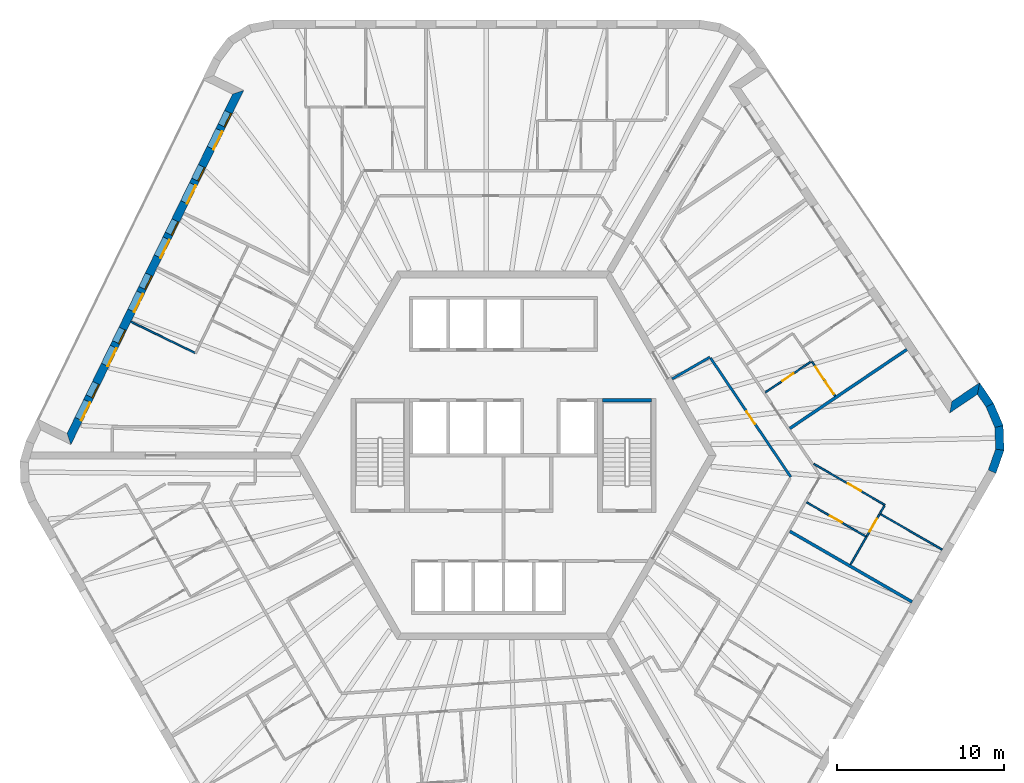
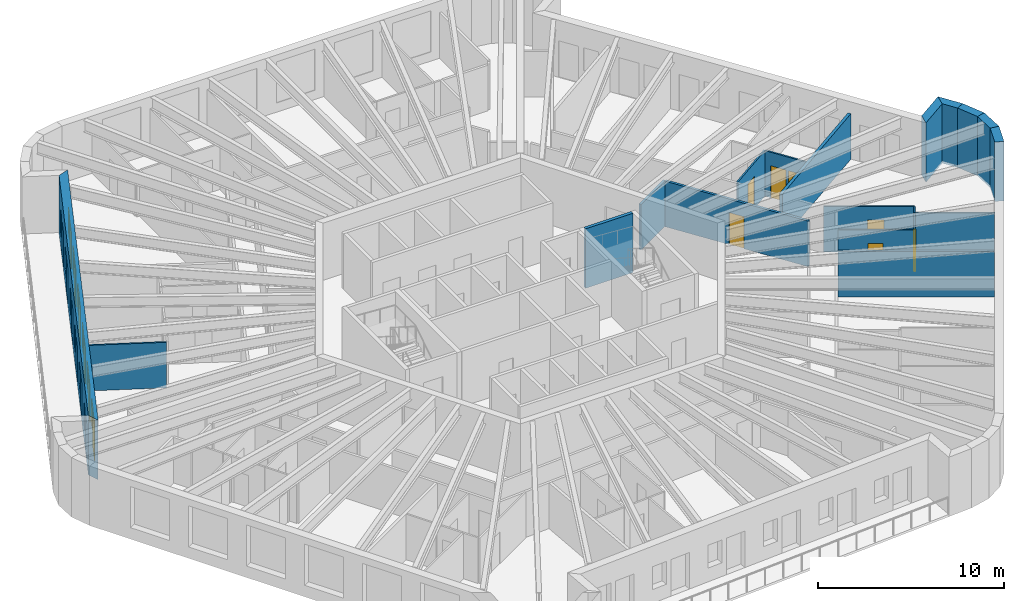
# One storey, part 7 of 12: 20 walls, 13 doors, 6 windows, 19 openings.
"""IFC4 building model written with IfcOpenShell, lengths in metres."""

from ifc_helpers import new_model, si_unit, direction, frame, frame_2d, origin, place, context, subcontext, project, spatial, polyline, rectangle, outline, extrude, material, layer, layer_set, type_object, element, fill, save


model = new_model("IFC4")

# Units and contexts
model_context = context("Model", 3, precision=1e-05, world=origin(), true_north=direction((0.0, 1.0)))
body_context = subcontext(model_context, "Body", "Model", "MODEL_VIEW")
ifc_project = project(units=[si_unit("LENGTHUNIT", "METRE"), si_unit("AREAUNIT", "SQUARE_METRE"), si_unit("VOLUMEUNIT", "CUBIC_METRE"), si_unit("PLANEANGLEUNIT", "RADIAN"), si_unit("MASSUNIT", "GRAM", prefix="KILO")], contexts=[model_context])

# Site, building, storey
site_placement = place(None, origin())
site = spatial("IfcSite", under=ifc_project, at=site_placement, CompositionType="ELEMENT")
building_placement = place(site_placement, origin())
building = spatial("IfcBuilding", under=site, at=building_placement, Name="Tarnside Tower", CompositionType="ELEMENT")
storey_placement = place(building_placement, frame((0.0, 0.0, 310.800048828125)))
storey = spatial("IfcBuildingStorey", under=building, at=storey_placement, Name="L75", CompositionType="ELEMENT", Elevation=310.800048828125)

# Wall, opening, door
ifc_material_1 = material(Name="Gypsum board partition on steel studs", Category="steel")
ifc_layer_1 = layer(ifc_material_1, 0.10009765625)
ifc_layer_set_1 = layer_set([ifc_layer_1], Name="Bathroom wall 100")
wall_type_1 = type_object("IfcWallType", Name="Bathroom wall 100", PredefinedType="PARTITIONING", material=ifc_layer_set_1)
wall_1_placement = place(storey_placement, frame((18.099853515625, -2.80029296875, 0.0), z_axis=(0.0, 0.0, 1.0), x_axis=(0.866019999656, -0.500009360108, 0.0)))
wall_1 = element("IfcWall", 1, at=wall_1_placement, inside=storey, type_object=wall_type_1, Name="Bathroom wall 24156", PredefinedType="PARTITIONING", context=body_context, shape_type="SweptSolid", body=[
    extrude(rectangle(XDim=4.125, YDim=0.10009765625, at=frame_2d((2.0625, 0.0))), origin(), (0.0, 0.0, 1.0), 2.98779296875),
])
opening_1_placement = place(wall_1_placement, frame((1.625, 0.0, 0.0)))
opening_1 = element("IfcOpeningElement", 2, at=opening_1_placement, cuts=wall_1, Name="Opening D-B1", PredefinedType="OPENING", context=body_context, shape_type="SweptSolid", body=[
    extrude(rectangle(XDim=0.800048828125, YDim=2.10009765625, at=frame_2d((0.39990234375, 1.050048828125))), frame((0.0, 0.06005859375, 0.0), z_axis=(0.0, -1.0, 0.0), x_axis=(1.0, 0.0, 0.0)), (0.0, 0.0, 1.0), 0.1201171875),
])
ifc_material_2 = material(Name="Timber door leaf", Category="wood")
door_type_1 = type_object("IfcDoorType", Name="Bathroom door 800", OperationType="NOTDEFINED", PredefinedType="DOOR", material=ifc_material_2)
door_1_placement = place(opening_1_placement, origin())
door_1 = element("IfcDoor", 3, at=door_1_placement, inside=storey, type_object=door_type_1, Name="Bathroom door 24051", OperationType="SINGLE_SWING_RIGHT", OverallHeight=2.10009765625, OverallWidth=0.800048828125, PredefinedType="DOOR", context=body_context, shape_type="SweptSolid", body=[
    extrude(rectangle(XDim=0.800048828125, YDim=2.10009765625, at=frame_2d((0.39990234375, 1.050048828125))), frame((0.0, 0.02490234375, 0.0), z_axis=(0.0, -1.0, 0.0), x_axis=(1.0, 0.0, 0.0)), (0.0, 0.0, 1.0), 0.050048828125),
])
fill(opening_1, door_1)

# Wall
wall_2_placement = place(storey_placement, frame((20.717041015625, -6.516845703125, 0.0), z_axis=(0.0, 0.0, 1.0), x_axis=(0.500039310002, 0.866002706955, 0.0)))
element("IfcWall", 4, at=wall_2_placement, inside=storey, type_object=wall_type_1, Name="Bathroom wall 24158", PredefinedType="PARTITIONING", context=body_context, shape_type="SweptSolid", body=[
    extrude(rectangle(XDim=1.911865234375, YDim=0.10009765625, at=frame_2d((0.9560546875, 0.0))), origin(), (0.0, 0.0, 1.0), 2.98779296875),
])

# Wall, opening, door
wall_3_placement = place(storey_placement, frame((18.399658203125, 5.6259765625, 0.0), z_axis=(0.0, 0.0, 1.0), x_axis=(-0.829067379225, -0.559148710725, 0.0)))
wall_3 = element("IfcWall", 5, at=wall_3_placement, inside=storey, type_object=wall_type_1, Name="Bathroom wall 24163", PredefinedType="PARTITIONING", context=body_context, shape_type="SweptSolid", body=[
    extrude(rectangle(XDim=3.324951171875, YDim=0.10009765625, at=frame_2d((1.66259765625, 0.0))), origin(), (0.0, 0.0, 1.0), 2.98779296875),
])
opening_2_placement = place(wall_3_placement, frame((1.300048828125, 0.0, 0.0)))
opening_2 = element("IfcOpeningElement", 6, at=opening_2_placement, cuts=wall_3, Name="Opening D-B1", PredefinedType="OPENING", context=body_context, shape_type="SweptSolid", body=[
    extrude(rectangle(XDim=0.800048828125, YDim=2.10009765625, at=frame_2d((0.39990234375, 1.050048828125))), frame((0.0, 0.06005859375, 0.0), z_axis=(0.0, -1.0, 0.0), x_axis=(1.0, 0.0, 0.0)), (0.0, 0.0, 1.0), 0.1201171875),
])
door_2_placement = place(opening_2_placement, origin())
door_2 = element("IfcDoor", 7, at=door_2_placement, inside=storey, type_object=door_type_1, Name="Bathroom door 24055", OperationType="SINGLE_SWING_LEFT", OverallHeight=2.10009765625, OverallWidth=0.800048828125, PredefinedType="DOOR", context=body_context, shape_type="SweptSolid", body=[
    extrude(rectangle(XDim=0.800048828125, YDim=2.10009765625, at=frame_2d((0.39990234375, 1.050048828125))), frame((0.0, 0.02490234375, 0.0), z_axis=(0.0, -1.0, 0.0), x_axis=(1.0, 0.0, 0.0)), (0.0, 0.0, 1.0), 0.050048828125),
])
fill(opening_2, door_2)

# Wall
ifc_layer_2 = layer(ifc_material_1, 0.14990234375)
ifc_layer_set_2 = layer_set([ifc_layer_2], Name="Corridor wall 150 EI 60")
wall_type_2 = type_object("IfcWallType", Name="Corridor wall 150 EI 60", PredefinedType="PARTITIONING", material=ifc_layer_set_2)
wall_4_placement = place(storey_placement, frame((10.065673828125, 4.565673828125, 0.0), z_axis=(0.0, 0.0, 1.0), x_axis=(0.866034402474, 0.499984413489, 0.0)))
element("IfcWall", 8, at=wall_4_placement, inside=storey, type_object=wall_type_2, Name="Corridor wall 24071", PredefinedType="PARTITIONING", context=body_context, shape_type="SweptSolid", body=[
    extrude(rectangle(XDim=2.6083984375, YDim=0.14990234375, at=frame_2d((1.30419921875, 0.0))), origin(), (0.0, 0.0, 1.0), 2.98779296875),
])

# Wall, opening, door
wall_5_placement = place(storey_placement, frame((12.36669921875, 5.8076171875, 0.0), z_axis=(0.0, 0.0, 1.0), x_axis=(0.559187256666, -0.829041381345, 0.0)))
wall_5 = element("IfcWall", 9, at=wall_5_placement, inside=storey, type_object=wall_type_2, Name="Corridor wall 24072", PredefinedType="PARTITIONING", context=body_context, shape_type="SweptSolid", body=[
    extrude(rectangle(XDim=8.560302734375, YDim=0.14990234375, at=frame_2d((4.2802734375, 0.0))), origin(), (0.0, 0.0, 1.0), 2.98779296875),
])
opening_3_placement = place(wall_5_placement, frame((3.830078125, 0.0, 0.0)))
opening_3 = element("IfcOpeningElement", 10, at=opening_3_placement, cuts=wall_5, Name="Opening D-S1", PredefinedType="OPENING", context=body_context, shape_type="SweptSolid", body=[
    extrude(rectangle(XDim=0.89990234375, YDim=2.10009765625, at=frame_2d((0.449951171875, 1.050048828125))), frame((0.0, 0.0849609375, 0.0), z_axis=(0.0, -1.0, 0.0), x_axis=(1.0, 0.0, 0.0)), (0.0, 0.0, 1.0), 0.169921875),
])
door_type_2 = type_object("IfcDoorType", Name="Service room door 900 FD30S", OperationType="NOTDEFINED", PredefinedType="DOOR", material=ifc_material_2)
door_3_placement = place(opening_3_placement, origin())
door_3 = element("IfcDoor", 11, at=door_3_placement, inside=storey, type_object=door_type_2, Name="Service door 24067", OperationType="SINGLE_SWING_RIGHT", OverallHeight=2.10009765625, OverallWidth=0.89990234375, PredefinedType="DOOR", context=body_context, shape_type="SweptSolid", body=[
    extrude(rectangle(XDim=0.89990234375, YDim=2.10009765625, at=frame_2d((0.449951171875, 1.050048828125))), frame((0.0, 0.02490234375, 0.0), z_axis=(0.0, -1.0, 0.0), x_axis=(1.0, 0.0, 0.0)), (0.0, 0.0, 1.0), 0.050048828125),
])
fill(opening_3, door_3)

# Walls
ifc_layer_3 = layer(ifc_material_1, 0.179931640625)
ifc_layer_set_3 = layer_set([ifc_layer_3], Name="Demising wall 180 EI 60")
wall_type_3 = type_object("IfcWallType", Name="Demising wall 180 EI 60", PredefinedType="PARTITIONING", material=ifc_layer_set_3)
for number, where, z_axis, x_axis, name in (
    (12, (24.39599609375, -8.744873046875, 0.0), (0.0, 0.0, 1.0), (-0.866014270972, 0.500019282102, 0.0), "Demising wall 24144"),
    (13, (24.08154296875, 6.322509765625, 0.0), (0.0, 0.0, 1.0), (-0.829037762759, -0.559192621481, 0.0), "Demising wall 24154"),
):
    element("IfcWall", number, at=place(storey_placement, frame(where, z_axis=z_axis, x_axis=x_axis)), inside=storey, type_object=wall_type_3, Name=name, PredefinedType="PARTITIONING", context=body_context, shape_type="SweptSolid", body=[
        extrude(rectangle(XDim=8.425048828125, YDim=0.179931640625, at=frame_2d((4.21240234375, 0.0))), origin(), (0.0, 0.0, 1.0), 2.98779296875),
    ])
ifc_material_3 = material(Name="Concrete C40/50", Category="concrete")
ifc_layer_4 = layer(ifc_material_3, 0.199951171875)
ifc_layer_set_4 = layer_set([ifc_layer_4], Name="Lift shaft wall 200 C40/50")
wall_type_4 = type_object("IfcWallType", Name="Lift shaft wall 200 C40/50", PredefinedType="SHEAR", material=ifc_layer_set_4)
wall_6_placement = place(storey_placement, frame((5.89990234375, 3.300048828125, -0.25), z_axis=(0.0, 0.0, 1.0), x_axis=(1.0, 0.0, 0.0)))
element("IfcWall", 14, at=wall_6_placement, inside=storey, type_object=wall_type_4, Name="L75 stair 1 enclosure cap wall n", PredefinedType="SHEAR", context=body_context, shape_type="SweptSolid", body=[
    extrude(rectangle(XDim=2.9501953125, YDim=0.199951171875, at=frame_2d((1.47509765625, 0.0))), origin(), (0.0, 0.0, 1.0), 3.89990234375),
])

# Wall, openings, doors, windows
ifc_material_4 = material(Name="Dark zinc cladding")
ifc_layer_5 = layer(ifc_material_4, 0.10205078125)
ifc_material_5 = material(Name="Concrete C60/75 precast", Category="concrete")
ifc_layer_6 = layer(ifc_material_5, 0.298095703125)
ifc_material_6 = material(Name="Mineral wool insulation")
ifc_layer_7 = layer(ifc_material_6, 0.10009765625)
ifc_layer_set_5 = layer_set([ifc_layer_5, ifc_layer_6, ifc_layer_7], Name="Loggia wall 500 zinc faced")
wall_type_5 = type_object("IfcWallType", Name="Loggia wall 500 zinc faced", PredefinedType="SOLIDWALL", material=ifc_layer_set_5)
wall_7_placement = place(storey_placement, frame((-15.845947265625, 21.6884765625, -0.150146484375), z_axis=(0.0, 0.0, 1.0), x_axis=(-0.438377502627, -0.898790946322, 0.0)))
wall_7 = element("IfcWall", 15, at=wall_7_placement, inside=storey, type_object=wall_type_5, Name="Tube wall L75 F2 back 06", PredefinedType="SOLIDWALL", context=body_context, shape_type="SweptSolid", body=[
    extrude(outline(polyline([(0.25, -0.25), (22.794677734375, -0.25), (23.294677734375, 0.25), (-0.25, 0.25), (0.25, -0.25)])), origin(), (0.0, 0.0, 1.0), 3.900146484375),
])
opening_4_placement = place(wall_7_placement, frame((1.322509765625, 0.0, 1.050048828125)))
opening_4 = element("IfcOpeningElement", 16, at=opening_4_placement, cuts=wall_7, Name="Opening WL500", PredefinedType="OPENING", context=body_context, shape_type="SweptSolid", body=[
    extrude(rectangle(XDim=0.89990234375, YDim=1.5, at=frame_2d((0.449951171875, 0.75))), frame((0.0, 0.260009765625, 0.0), z_axis=(0.0, -1.0, 0.0), x_axis=(1.0, 0.0, 0.0)), (0.0, 0.0, 1.0), 0.52001953125),
])
opening_5_placement = place(wall_7_placement, frame((2.5224609375, 0.0, 0.14990234375)))
opening_5 = element("IfcOpeningElement", 17, at=opening_5_placement, cuts=wall_7, Name="Opening DB500", PredefinedType="OPENING", context=body_context, shape_type="SweptSolid", body=[
    extrude(rectangle(XDim=1.199951171875, YDim=2.39990234375, at=frame_2d((0.60009765625, 1.199951171875))), frame((0.0, 0.260009765625, 0.0), z_axis=(0.0, -1.0, 0.0), x_axis=(1.0, 0.0, 0.0)), (0.0, 0.0, 1.0), 0.52001953125),
])
opening_6_placement = place(wall_7_placement, frame((4.92236328125, 0.0, 1.050048828125)))
opening_6 = element("IfcOpeningElement", 18, at=opening_6_placement, cuts=wall_7, Name="Opening WL500", PredefinedType="OPENING", context=body_context, shape_type="SweptSolid", body=[
    extrude(rectangle(XDim=0.89990234375, YDim=1.5, at=frame_2d((0.449951171875, 0.75))), frame((0.0, 0.260009765625, 0.0), z_axis=(0.0, -1.0, 0.0), x_axis=(1.0, 0.0, 0.0)), (0.0, 0.0, 1.0), 0.52001953125),
])
opening_7_placement = place(wall_7_placement, frame((6.122314453125, 0.0, 0.14990234375)))
opening_7 = element("IfcOpeningElement", 19, at=opening_7_placement, cuts=wall_7, Name="Opening DB500", PredefinedType="OPENING", context=body_context, shape_type="SweptSolid", body=[
    extrude(rectangle(XDim=1.199951171875, YDim=2.39990234375, at=frame_2d((0.60009765625, 1.199951171875))), frame((0.0, 0.260009765625, 0.0), z_axis=(0.0, -1.0, 0.0), x_axis=(1.0, 0.0, 0.0)), (0.0, 0.0, 1.0), 0.52001953125),
])
opening_8_placement = place(wall_7_placement, frame((8.5224609375, 0.0, 1.050048828125)))
opening_8 = element("IfcOpeningElement", 20, at=opening_8_placement, cuts=wall_7, Name="Opening WL500", PredefinedType="OPENING", context=body_context, shape_type="SweptSolid", body=[
    extrude(rectangle(XDim=0.89990234375, YDim=1.5, at=frame_2d((0.449951171875, 0.75))), frame((0.0, 0.260009765625, 0.0), z_axis=(0.0, -1.0, 0.0), x_axis=(1.0, 0.0, 0.0)), (0.0, 0.0, 1.0), 0.52001953125),
])
opening_9_placement = place(wall_7_placement, frame((9.722412109375, 0.0, 0.14990234375)))
opening_9 = element("IfcOpeningElement", 21, at=opening_9_placement, cuts=wall_7, Name="Opening DB500", PredefinedType="OPENING", context=body_context, shape_type="SweptSolid", body=[
    extrude(rectangle(XDim=1.199951171875, YDim=2.39990234375, at=frame_2d((0.60009765625, 1.199951171875))), frame((0.0, 0.260009765625, 0.0), z_axis=(0.0, -1.0, 0.0), x_axis=(1.0, 0.0, 0.0)), (0.0, 0.0, 1.0), 0.52001953125),
])
opening_10_placement = place(wall_7_placement, frame((12.122314453125, 0.0, 1.050048828125)))
opening_10 = element("IfcOpeningElement", 22, at=opening_10_placement, cuts=wall_7, Name="Opening WL500", PredefinedType="OPENING", context=body_context, shape_type="SweptSolid", body=[
    extrude(rectangle(XDim=0.89990234375, YDim=1.5, at=frame_2d((0.449951171875, 0.75))), frame((0.0, 0.260009765625, 0.0), z_axis=(0.0, -1.0, 0.0), x_axis=(1.0, 0.0, 0.0)), (0.0, 0.0, 1.0), 0.52001953125),
])
opening_11_placement = place(wall_7_placement, frame((13.322509765625, 0.0, 0.14990234375)))
opening_11 = element("IfcOpeningElement", 23, at=opening_11_placement, cuts=wall_7, Name="Opening DB500", PredefinedType="OPENING", context=body_context, shape_type="SweptSolid", body=[
    extrude(rectangle(XDim=1.199951171875, YDim=2.39990234375, at=frame_2d((0.60009765625, 1.199951171875))), frame((0.0, 0.260009765625, 0.0), z_axis=(0.0, -1.0, 0.0), x_axis=(1.0, 0.0, 0.0)), (0.0, 0.0, 1.0), 0.52001953125),
])
opening_12_placement = place(wall_7_placement, frame((15.722412109375, 0.0, 1.050048828125)))
opening_12 = element("IfcOpeningElement", 24, at=opening_12_placement, cuts=wall_7, Name="Opening WL500", PredefinedType="OPENING", context=body_context, shape_type="SweptSolid", body=[
    extrude(rectangle(XDim=0.89990234375, YDim=1.5, at=frame_2d((0.449951171875, 0.75))), frame((0.0, 0.260009765625, 0.0), z_axis=(0.0, -1.0, 0.0), x_axis=(1.0, 0.0, 0.0)), (0.0, 0.0, 1.0), 0.52001953125),
])
opening_13_placement = place(wall_7_placement, frame((16.92236328125, 0.0, 0.14990234375)))
opening_13 = element("IfcOpeningElement", 25, at=opening_13_placement, cuts=wall_7, Name="Opening DB500", PredefinedType="OPENING", context=body_context, shape_type="SweptSolid", body=[
    extrude(rectangle(XDim=1.199951171875, YDim=2.39990234375, at=frame_2d((0.60009765625, 1.199951171875))), frame((0.0, 0.260009765625, 0.0), z_axis=(0.0, -1.0, 0.0), x_axis=(1.0, 0.0, 0.0)), (0.0, 0.0, 1.0), 0.52001953125),
])
opening_14_placement = place(wall_7_placement, frame((19.322509765625, 0.0, 1.050048828125)))
opening_14 = element("IfcOpeningElement", 26, at=opening_14_placement, cuts=wall_7, Name="Opening WL500", PredefinedType="OPENING", context=body_context, shape_type="SweptSolid", body=[
    extrude(rectangle(XDim=0.89990234375, YDim=1.5, at=frame_2d((0.449951171875, 0.75))), frame((0.0, 0.260009765625, 0.0), z_axis=(0.0, -1.0, 0.0), x_axis=(1.0, 0.0, 0.0)), (0.0, 0.0, 1.0), 0.52001953125),
])
opening_15_placement = place(wall_7_placement, frame((20.5224609375, 0.0, 0.14990234375)))
opening_15 = element("IfcOpeningElement", 27, at=opening_15_placement, cuts=wall_7, Name="Opening DB500", PredefinedType="OPENING", context=body_context, shape_type="SweptSolid", body=[
    extrude(rectangle(XDim=1.199951171875, YDim=2.39990234375, at=frame_2d((0.60009765625, 1.199951171875))), frame((0.0, 0.260009765625, 0.0), z_axis=(0.0, -1.0, 0.0), x_axis=(1.0, 0.0, 0.0)), (0.0, 0.0, 1.0), 0.52001953125),
])
ifc_material_7 = material(Name="Aluminium-framed double glazing", Category="aluminium")
door_type_3 = type_object("IfcDoorType", Name="Balcony sliding door 1200 x 2400 in 500 wall", OperationType="SLIDING_TO_LEFT", PredefinedType="DOOR", material=ifc_material_7)
door_4_placement = place(opening_5_placement, frame((0.0, 0.1748046875, 0.0)))
door_4 = element("IfcDoor", 28, at=door_4_placement, inside=storey, type_object=door_type_3, Name="E.BD.L75.F2.00", OperationType="SLIDING_TO_LEFT", OverallHeight=2.39990234375, OverallWidth=1.199951171875, PredefinedType="DOOR", context=body_context, shape_type="SweptSolid", body=[
    extrude(rectangle(XDim=1.199951171875, YDim=2.39990234375, at=frame_2d((0.60009765625, 1.199951171875))), frame((0.0, 0.02490234375, 0.0), z_axis=(0.0, -1.0, 0.0), x_axis=(1.0, 0.0, 0.0)), (0.0, 0.0, 1.0), 0.050048828125),
])
fill(opening_5, door_4)
door_5_placement = place(opening_7_placement, frame((0.0, 0.1748046875, 0.0)))
door_5 = element("IfcDoor", 29, at=door_5_placement, inside=storey, type_object=door_type_3, Name="E.BD.L75.F2.01", OperationType="SLIDING_TO_LEFT", OverallHeight=2.39990234375, OverallWidth=1.199951171875, PredefinedType="DOOR", context=body_context, shape_type="SweptSolid", body=[
    extrude(rectangle(XDim=1.199951171875, YDim=2.39990234375, at=frame_2d((0.60009765625, 1.199951171875))), frame((0.0, 0.02490234375, 0.0), z_axis=(0.0, -1.0, 0.0), x_axis=(1.0, 0.0, 0.0)), (0.0, 0.0, 1.0), 0.050048828125),
])
fill(opening_7, door_5)
door_6_placement = place(opening_9_placement, frame((0.0, 0.1748046875, 0.0)))
door_6 = element("IfcDoor", 30, at=door_6_placement, inside=storey, type_object=door_type_3, Name="E.BD.L75.F2.02", OperationType="SLIDING_TO_LEFT", OverallHeight=2.39990234375, OverallWidth=1.199951171875, PredefinedType="DOOR", context=body_context, shape_type="SweptSolid", body=[
    extrude(rectangle(XDim=1.199951171875, YDim=2.39990234375, at=frame_2d((0.60009765625, 1.199951171875))), frame((0.0, 0.02490234375, 0.0), z_axis=(0.0, -1.0, 0.0), x_axis=(1.0, 0.0, 0.0)), (0.0, 0.0, 1.0), 0.050048828125),
])
fill(opening_9, door_6)
door_7_placement = place(opening_11_placement, frame((0.0, 0.1748046875, 0.0)))
door_7 = element("IfcDoor", 31, at=door_7_placement, inside=storey, type_object=door_type_3, Name="E.BD.L75.F2.03", OperationType="SLIDING_TO_LEFT", OverallHeight=2.39990234375, OverallWidth=1.199951171875, PredefinedType="DOOR", context=body_context, shape_type="SweptSolid", body=[
    extrude(rectangle(XDim=1.199951171875, YDim=2.39990234375, at=frame_2d((0.60009765625, 1.199951171875))), frame((0.0, 0.02490234375, 0.0), z_axis=(0.0, -1.0, 0.0), x_axis=(1.0, 0.0, 0.0)), (0.0, 0.0, 1.0), 0.050048828125),
])
fill(opening_11, door_7)
door_8_placement = place(opening_13_placement, frame((0.0, 0.1748046875, 0.0)))
door_8 = element("IfcDoor", 32, at=door_8_placement, inside=storey, type_object=door_type_3, Name="E.BD.L75.F2.04", OperationType="SLIDING_TO_LEFT", OverallHeight=2.39990234375, OverallWidth=1.199951171875, PredefinedType="DOOR", context=body_context, shape_type="SweptSolid", body=[
    extrude(rectangle(XDim=1.199951171875, YDim=2.39990234375, at=frame_2d((0.60009765625, 1.199951171875))), frame((0.0, 0.02490234375, 0.0), z_axis=(0.0, -1.0, 0.0), x_axis=(1.0, 0.0, 0.0)), (0.0, 0.0, 1.0), 0.050048828125),
])
fill(opening_13, door_8)
door_9_placement = place(opening_15_placement, frame((0.0, 0.1748046875, 0.0)))
door_9 = element("IfcDoor", 33, at=door_9_placement, inside=storey, type_object=door_type_3, Name="E.BD.L75.F2.05", OperationType="SLIDING_TO_LEFT", OverallHeight=2.39990234375, OverallWidth=1.199951171875, PredefinedType="DOOR", context=body_context, shape_type="SweptSolid", body=[
    extrude(rectangle(XDim=1.199951171875, YDim=2.39990234375, at=frame_2d((0.60009765625, 1.199951171875))), frame((0.0, 0.02490234375, 0.0), z_axis=(0.0, -1.0, 0.0), x_axis=(1.0, 0.0, 0.0)), (0.0, 0.0, 1.0), 0.050048828125),
])
fill(opening_15, door_9)
window_type = type_object("IfcWindowType", Name="Loggia window 900 x 1500 in 500 wall", PartitioningType="SINGLE_PANEL", PredefinedType="WINDOW", material=ifc_material_7)
window_1_placement = place(opening_4_placement, frame((0.0, 0.179931640625, 0.0)))
window_1 = element("IfcWindow", 34, at=window_1_placement, inside=storey, type_object=window_type, Name="E.LW.L75.F2.00", OverallHeight=1.5, OverallWidth=0.89990234375, PartitioningType="SINGLE_PANEL", PredefinedType="WINDOW", context=body_context, shape_type="SweptSolid", body=[
    extrude(rectangle(XDim=0.89990234375, YDim=1.5, at=frame_2d((0.449951171875, 0.75))), frame((0.0, 0.030029296875, 0.0), z_axis=(0.0, -1.0, 0.0), x_axis=(1.0, 0.0, 0.0)), (0.0, 0.0, 1.0), 0.06005859375),
])
fill(opening_4, window_1)
window_2_placement = place(opening_6_placement, frame((0.0, 0.179931640625, 0.0)))
window_2 = element("IfcWindow", 35, at=window_2_placement, inside=storey, type_object=window_type, Name="E.LW.L75.F2.01", OverallHeight=1.5, OverallWidth=0.89990234375, PartitioningType="SINGLE_PANEL", PredefinedType="WINDOW", context=body_context, shape_type="SweptSolid", body=[
    extrude(rectangle(XDim=0.89990234375, YDim=1.5, at=frame_2d((0.449951171875, 0.75))), frame((0.0, 0.030029296875, 0.0), z_axis=(0.0, -1.0, 0.0), x_axis=(1.0, 0.0, 0.0)), (0.0, 0.0, 1.0), 0.06005859375),
])
fill(opening_6, window_2)
window_3_placement = place(opening_8_placement, frame((0.0, 0.179931640625, 0.0)))
window_3 = element("IfcWindow", 36, at=window_3_placement, inside=storey, type_object=window_type, Name="E.LW.L75.F2.02", OverallHeight=1.5, OverallWidth=0.89990234375, PartitioningType="SINGLE_PANEL", PredefinedType="WINDOW", context=body_context, shape_type="SweptSolid", body=[
    extrude(rectangle(XDim=0.89990234375, YDim=1.5, at=frame_2d((0.449951171875, 0.75))), frame((0.0, 0.030029296875, 0.0), z_axis=(0.0, -1.0, 0.0), x_axis=(1.0, 0.0, 0.0)), (0.0, 0.0, 1.0), 0.06005859375),
])
fill(opening_8, window_3)
window_4_placement = place(opening_10_placement, frame((0.0, 0.179931640625, 0.0)))
window_4 = element("IfcWindow", 37, at=window_4_placement, inside=storey, type_object=window_type, Name="E.LW.L75.F2.03", OverallHeight=1.5, OverallWidth=0.89990234375, PartitioningType="SINGLE_PANEL", PredefinedType="WINDOW", context=body_context, shape_type="SweptSolid", body=[
    extrude(rectangle(XDim=0.89990234375, YDim=1.5, at=frame_2d((0.449951171875, 0.75))), frame((0.0, 0.030029296875, 0.0), z_axis=(0.0, -1.0, 0.0), x_axis=(1.0, 0.0, 0.0)), (0.0, 0.0, 1.0), 0.06005859375),
])
fill(opening_10, window_4)
window_5_placement = place(opening_12_placement, frame((0.0, 0.179931640625, 0.0)))
window_5 = element("IfcWindow", 38, at=window_5_placement, inside=storey, type_object=window_type, Name="E.LW.L75.F2.04", OverallHeight=1.5, OverallWidth=0.89990234375, PartitioningType="SINGLE_PANEL", PredefinedType="WINDOW", context=body_context, shape_type="SweptSolid", body=[
    extrude(rectangle(XDim=0.89990234375, YDim=1.5, at=frame_2d((0.449951171875, 0.75))), frame((0.0, 0.030029296875, 0.0), z_axis=(0.0, -1.0, 0.0), x_axis=(1.0, 0.0, 0.0)), (0.0, 0.0, 1.0), 0.06005859375),
])
fill(opening_12, window_5)
window_6_placement = place(opening_14_placement, frame((0.0, 0.179931640625, 0.0)))
window_6 = element("IfcWindow", 39, at=window_6_placement, inside=storey, type_object=window_type, Name="E.LW.L75.F2.05", OverallHeight=1.5, OverallWidth=0.89990234375, PartitioningType="SINGLE_PANEL", PredefinedType="WINDOW", context=body_context, shape_type="SweptSolid", body=[
    extrude(rectangle(XDim=0.89990234375, YDim=1.5, at=frame_2d((0.449951171875, 0.75))), frame((0.0, 0.030029296875, 0.0), z_axis=(0.0, -1.0, 0.0), x_axis=(1.0, 0.0, 0.0)), (0.0, 0.0, 1.0), 0.06005859375),
])
fill(opening_14, window_6)

# Walls
wall_8_placement = place(storey_placement, frame((29.034912109375, 3.00244140625, -0.150146484375), z_axis=(0.0, 0.0, 1.0), x_axis=(-0.559200218553, 0.829032638423, 0.0)))
element("IfcWall", 40, at=wall_8_placement, inside=storey, type_object=wall_type_5, Name="Tube wall L75 F6 stub 28", PredefinedType="SOLIDWALL", context=body_context, shape_type="SweptSolid", body=[
    extrude(outline(polyline([(-0.0234375, -0.25), (1.44970703125, -0.25), (0.94970703125, 0.25), (0.0234375, 0.25), (-0.0234375, -0.25)])), origin(), (0.0, 0.0, 1.0), 3.900146484375),
])
wall_9_placement = place(storey_placement, frame((28.364013671875, 3.9970703125, -0.150146484375), z_axis=(0.0, 0.0, 1.0), x_axis=(-0.829108975345, -0.5590870299, 0.0)))
element("IfcWall", 41, at=wall_9_placement, inside=storey, type_object=wall_type_5, Name="Tube wall L75 F6 return 29", PredefinedType="SOLIDWALL", context=body_context, shape_type="SweptSolid", body=[
    extrude(outline(polyline([(-0.25, -0.25), (1.75, -0.25), (2.25, 0.25), (0.25, 0.25), (-0.25, -0.25)])), origin(), (0.0, 0.0, 1.0), 3.900146484375),
])
ifc_layer_8 = layer(ifc_material_1, 0.10009765625)
ifc_layer_set_6 = layer_set([ifc_layer_8], Name="Partition 100")
wall_type_6 = type_object("IfcWallType", Name="Partition 100", PredefinedType="PARTITIONING", material=ifc_layer_set_6)
wall_10_placement = place(storey_placement, frame((-18.4306640625, 6.1240234375, 0.0), z_axis=(0.0, 0.0, 1.0), x_axis=(-0.898795496691, 0.438368173032, 0.0)))
element("IfcWall", 42, at=wall_10_placement, inside=storey, type_object=wall_type_6, Name="Partition wall 24107", PredefinedType="PARTITIONING", context=body_context, shape_type="SweptSolid", body=[
    extrude(rectangle(XDim=4.25, YDim=0.10009765625, at=frame_2d((2.125, 0.0))), origin(), (0.0, 0.0, 1.0), 2.98779296875),
])

# Wall, opening, door
wall_11_placement = place(storey_placement, frame((18.5244140625, -0.505126953125, 0.0), z_axis=(0.0, 0.0, 1.0), x_axis=(0.866032243237, -0.499988153533, 0.0)))
wall_11 = element("IfcWall", 43, at=wall_11_placement, inside=storey, type_object=wall_type_6, Name="Partition wall 24151", PredefinedType="PARTITIONING", context=body_context, shape_type="SweptSolid", body=[
    extrude(rectangle(XDim=4.90478515625, YDim=0.10009765625, at=frame_2d((2.452392578125, 0.0))), origin(), (0.0, 0.0, 1.0), 2.98779296875),
])
opening_16_placement = place(wall_11_placement, frame((2.354736328125, 0.0, 0.0)))
opening_16 = element("IfcOpeningElement", 44, at=opening_16_placement, cuts=wall_11, Name="Opening D-I1", PredefinedType="OPENING", context=body_context, shape_type="SweptSolid", body=[
    extrude(rectangle(XDim=0.89990234375, YDim=2.10009765625, at=frame_2d((0.449951171875, 1.050048828125))), frame((0.0, 0.06005859375, 0.0), z_axis=(0.0, -1.0, 0.0), x_axis=(1.0, 0.0, 0.0)), (0.0, 0.0, 1.0), 0.1201171875),
])
door_type_4 = type_object("IfcDoorType", Name="Internal door 900", OperationType="NOTDEFINED", PredefinedType="DOOR", material=ifc_material_2)
door_10_placement = place(opening_16_placement, origin())
door_10 = element("IfcDoor", 45, at=door_10_placement, inside=storey, type_object=door_type_4, Name="Internal door 24052", OperationType="SINGLE_SWING_LEFT", OverallHeight=2.10009765625, OverallWidth=0.89990234375, PredefinedType="DOOR", context=body_context, shape_type="SweptSolid", body=[
    extrude(rectangle(XDim=0.89990234375, YDim=2.10009765625, at=frame_2d((0.449951171875, 1.050048828125))), frame((0.0, 0.02490234375, 0.0), z_axis=(0.0, -1.0, 0.0), x_axis=(1.0, 0.0, 0.0)), (0.0, 0.0, 1.0), 0.050048828125),
])
fill(opening_16, door_10)

# Walls
wall_12_placement = place(storey_placement, frame((22.7470703125, -3.000732421875, 0.0), z_axis=(0.0, 0.0, 1.0), x_axis=(-0.499850094852, -0.866111934265, 0.0)))
element("IfcWall", 46, at=wall_12_placement, inside=storey, type_object=wall_type_6, Name="Partition wall 24152", PredefinedType="PARTITIONING", context=body_context, shape_type="SweptSolid", body=[
    extrude(rectangle(XDim=0.552001953125, YDim=0.10009765625, at=frame_2d((0.27587890625, 0.0))), origin(), (0.0, 0.0, 1.0), 2.98779296875),
])
wall_13_placement = place(storey_placement, frame((22.515380859375, -3.502197265625, 0.0), z_axis=(0.0, 0.0, 1.0), x_axis=(0.866028703517, -0.499994284652, 0.0)))
element("IfcWall", 47, at=wall_13_placement, inside=storey, type_object=wall_type_6, Name="Partition wall 24153", PredefinedType="PARTITIONING", context=body_context, shape_type="SweptSolid", body=[
    extrude(rectangle(XDim=4.25, YDim=0.10009765625, at=frame_2d((2.125, 0.0))), origin(), (0.0, 0.0, 1.0), 2.98779296875),
])

# Wall, opening, door
wall_14_placement = place(storey_placement, frame((21.696044921875, -4.8212890625, 0.0), z_axis=(0.0, 0.0, 1.0), x_axis=(0.499985098601, 0.86603400694, 0.0)))
wall_14 = element("IfcWall", 48, at=wall_14_placement, inside=storey, type_object=wall_type_6, Name="Partition wall 24157", PredefinedType="PARTITIONING", context=body_context, shape_type="SweptSolid", body=[
    extrude(rectangle(XDim=1.501953125, YDim=0.10009765625, at=frame_2d((0.7509765625, 0.0))), origin(), (0.0, 0.0, 1.0), 2.98779296875),
])
opening_17_placement = place(wall_14_placement, frame((0.302001953125, 0.0, 0.0)))
opening_17 = element("IfcOpeningElement", 49, at=opening_17_placement, cuts=wall_14, Name="Opening D-I1", PredefinedType="OPENING", context=body_context, shape_type="SweptSolid", body=[
    extrude(rectangle(XDim=0.89990234375, YDim=2.10009765625, at=frame_2d((0.449951171875, 1.050048828125))), frame((0.0, 0.06005859375, 0.0), z_axis=(0.0, -1.0, 0.0), x_axis=(1.0, 0.0, 0.0)), (0.0, 0.0, 1.0), 0.1201171875),
])
door_11_placement = place(opening_17_placement, origin())
door_11 = element("IfcDoor", 50, at=door_11_placement, inside=storey, type_object=door_type_4, Name="Internal door 24053", OperationType="SINGLE_SWING_LEFT", OverallHeight=2.10009765625, OverallWidth=0.89990234375, PredefinedType="DOOR", context=body_context, shape_type="SweptSolid", body=[
    extrude(rectangle(XDim=0.89990234375, YDim=2.10009765625, at=frame_2d((0.449951171875, 1.050048828125))), frame((0.0, 0.02490234375, 0.0), z_axis=(0.0, -1.0, 0.0), x_axis=(1.0, 0.0, 0.0)), (0.0, 0.0, 1.0), 0.050048828125),
])
fill(opening_17, door_11)

# Wall, openings, doors
wall_15_placement = place(storey_placement, frame((19.80322265625, 3.545166015625, 0.0), z_axis=(0.0, 0.0, 1.0), x_axis=(-0.559200318931, 0.829032570716, 0.0)))
wall_15 = element("IfcWall", 51, at=wall_15_placement, inside=storey, type_object=wall_type_6, Name="Partition wall 24164", PredefinedType="PARTITIONING", context=body_context, shape_type="SweptSolid", body=[
    extrude(rectangle(XDim=2.4619140625, YDim=0.10009765625, at=frame_2d((1.23095703125, 0.0))), origin(), (0.0, 0.0, 1.0), 2.98779296875),
])
opening_18_placement = place(wall_15_placement, frame((0.14990234375, 0.0, 0.0)))
opening_18 = element("IfcOpeningElement", 52, at=opening_18_placement, cuts=wall_15, Name="Opening D-I1", PredefinedType="OPENING", context=body_context, shape_type="SweptSolid", body=[
    extrude(rectangle(XDim=0.89990234375, YDim=2.10009765625, at=frame_2d((0.449951171875, 1.050048828125))), frame((0.0, 0.06005859375, 0.0), z_axis=(0.0, -1.0, 0.0), x_axis=(1.0, 0.0, 0.0)), (0.0, 0.0, 1.0), 0.1201171875),
])
opening_19_placement = place(wall_15_placement, frame((1.2099609375, 0.0, 0.0)))
opening_19 = element("IfcOpeningElement", 53, at=opening_19_placement, cuts=wall_15, Name="Opening D-I1", PredefinedType="OPENING", context=body_context, shape_type="SweptSolid", body=[
    extrude(rectangle(XDim=0.89990234375, YDim=2.10009765625, at=frame_2d((0.449951171875, 1.050048828125))), frame((0.0, 0.06005859375, 0.0), z_axis=(0.0, -1.0, 0.0), x_axis=(1.0, 0.0, 0.0)), (0.0, 0.0, 1.0), 0.1201171875),
])
door_12_placement = place(opening_18_placement, origin())
door_12 = element("IfcDoor", 54, at=door_12_placement, inside=storey, type_object=door_type_4, Name="Internal door 24057", OperationType="SINGLE_SWING_LEFT", OverallHeight=2.10009765625, OverallWidth=0.89990234375, PredefinedType="DOOR", context=body_context, shape_type="SweptSolid", body=[
    extrude(rectangle(XDim=0.89990234375, YDim=2.10009765625, at=frame_2d((0.449951171875, 1.050048828125))), frame((0.0, 0.02490234375, 0.0), z_axis=(0.0, -1.0, 0.0), x_axis=(1.0, 0.0, 0.0)), (0.0, 0.0, 1.0), 0.050048828125),
])
fill(opening_18, door_12)
door_13_placement = place(opening_19_placement, origin())
door_13 = element("IfcDoor", 55, at=door_13_placement, inside=storey, type_object=door_type_4, Name="Internal door 24058", OperationType="SINGLE_SWING_LEFT", OverallHeight=2.10009765625, OverallWidth=0.89990234375, PredefinedType="DOOR", context=body_context, shape_type="SweptSolid", body=[
    extrude(rectangle(XDim=0.89990234375, YDim=2.10009765625, at=frame_2d((0.449951171875, 1.050048828125))), frame((0.0, 0.02490234375, 0.0), z_axis=(0.0, -1.0, 0.0), x_axis=(1.0, 0.0, 0.0)), (0.0, 0.0, 1.0), 0.050048828125),
])
fill(opening_19, door_13)

# Walls
ifc_material_8 = material(Name="Facing brick", Category="masonry")
ifc_layer_9 = layer(ifc_material_8, 0.10205078125)
ifc_layer_10 = layer(ifc_material_5, 0.298095703125)
ifc_layer_11 = layer(ifc_material_6, 0.10009765625)
ifc_layer_set_7 = layer_set([ifc_layer_9, ifc_layer_10, ifc_layer_11], Name="Tube wall 500 brick faced")
wall_type_7 = type_object("IfcWallType", Name="Tube wall 500 brick faced", PredefinedType="SOLIDWALL", material=ifc_layer_set_7)
wall_16_placement = place(storey_placement, frame((29.173828125, -0.9697265625, -0.150146484375), z_axis=(0.0, 0.0, 1.0), x_axis=(0.330961348063, 0.943644311215, 0.0)))
element("IfcWall", 56, at=wall_16_placement, inside=storey, type_object=wall_type_7, Name="Tube wall L75 F5 chord 25", PredefinedType="SOLIDWALL", context=body_context, shape_type="SweptSolid", body=[
    extrude(outline(polyline([(-0.0234375, -0.25), (1.435302734375, -0.25), (1.341064453125, 0.25), (0.0234375, 0.25), (-0.0234375, -0.25)])), origin(), (0.0, 0.0, 1.0), 3.900146484375),
])
wall_17_placement = place(storey_placement, frame((29.63330078125, 0.34033203125, -0.150146484375), z_axis=(0.0, 0.0, 1.0), x_axis=(-0.034825746769, 0.999393399699, 0.0)))
element("IfcWall", 57, at=wall_17_placement, inside=storey, type_object=wall_type_7, Name="Tube wall L75 F5 chord 26", PredefinedType="SOLIDWALL", context=body_context, shape_type="SweptSolid", body=[
    extrude(outline(polyline([(-0.047119140625, -0.25), (1.43505859375, -0.25), (1.3408203125, 0.25), (0.047119140625, 0.25), (-0.047119140625, -0.25)])), origin(), (0.0, 0.0, 1.0), 3.900146484375),
])
wall_18_placement = place(storey_placement, frame((29.5849609375, 1.7275390625, -0.150146484375), z_axis=(0.0, 0.0, 1.0), x_axis=(-0.396146339195, 0.918187387162, 0.0)))
element("IfcWall", 58, at=wall_18_placement, inside=storey, type_object=wall_type_7, Name="Tube wall L75 F5 chord 27", PredefinedType="SOLIDWALL", context=body_context, shape_type="SweptSolid", body=[
    extrude(outline(polyline([(-0.047119140625, -0.25), (1.411865234375, -0.25), (1.364990234375, 0.25), (0.047119140625, 0.25), (-0.047119140625, -0.25)])), origin(), (0.0, 0.0, 1.0), 3.900146484375),
])

save(model, "model.ifc")
